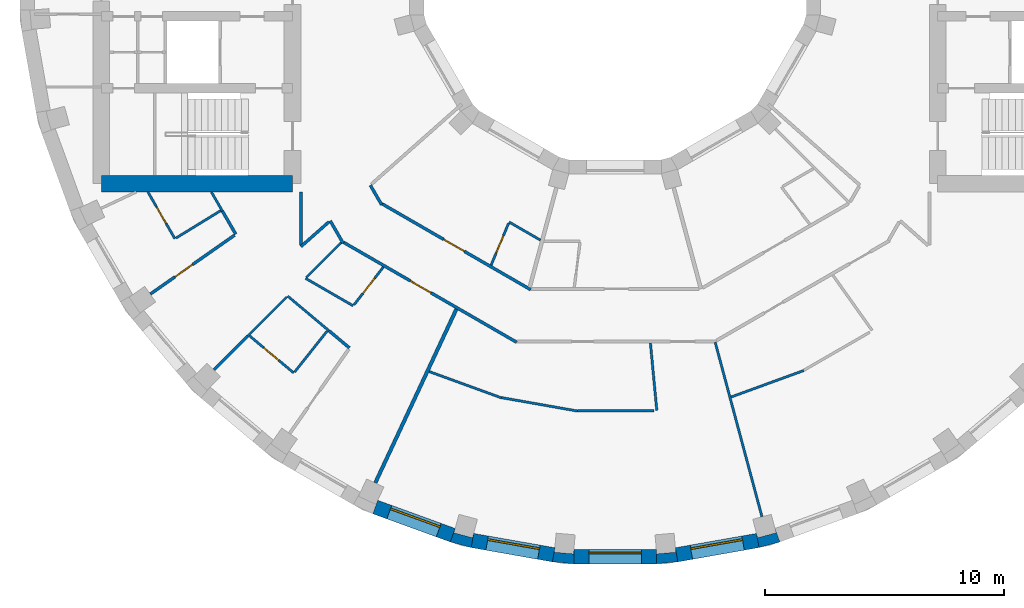
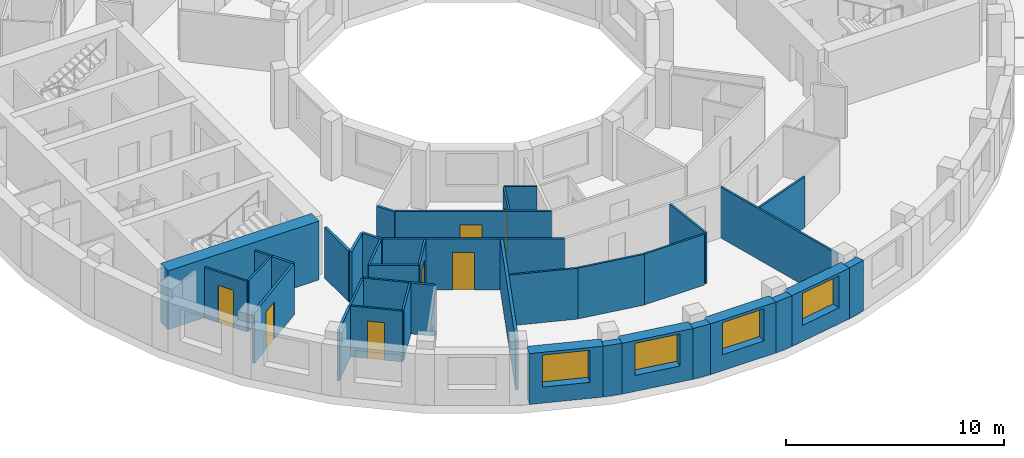
# One storey, part 2 of 11: 38 walls, 7 doors, 4 windows, 11 openings.
"""IFC4 building model written with IfcOpenShell, lengths in metres."""

from ifc_helpers import new_model, si_unit, direction, frame, frame_2d, origin, place, context, subcontext, project, spatial, polyline, rectangle, outline, extrude, material, layer, layer_set, type_object, element, fill, save


model = new_model("IFC4")

# Units and contexts
model_context = context("Model", 3, precision=1e-05, world=origin(), true_north=direction((0.0, 1.0)))
body_context = subcontext(model_context, "Body", "Model", "MODEL_VIEW")
ifc_project = project(units=[si_unit("LENGTHUNIT", "METRE"), si_unit("AREAUNIT", "SQUARE_METRE"), si_unit("VOLUMEUNIT", "CUBIC_METRE"), si_unit("PLANEANGLEUNIT", "RADIAN"), si_unit("MASSUNIT", "GRAM", prefix="KILO")], contexts=[model_context])

# Site, building, storey
site_placement = place(None, origin())
site = spatial("IfcSite", under=ifc_project, at=site_placement, CompositionType="ELEMENT")
building_placement = place(site_placement, origin())
building = spatial("IfcBuilding", under=site, at=building_placement, Name="Saqina Gate Tower", CompositionType="ELEMENT")
storey_placement = place(building_placement, frame((0.0, 0.0, 183.89990234375)))
storey = spatial("IfcBuildingStorey", under=building, at=storey_placement, Name="L52", CompositionType="ELEMENT", Elevation=183.89990234375)

# Walls
ifc_material_1 = material(Name="Brick masonry (buff)", Category="masonry")
wall_type_1 = type_object("IfcWallType", Name="BRICK PIER COPING BUFF", PredefinedType="SOLIDWALL", material=ifc_material_1)
wall_1_placement = place(storey_placement, origin())
element("IfcWall", 1, at=wall_1_placement, inside=storey, type_object=wall_type_1, Name="Pier cap L52 column 26", PredefinedType="SOLIDWALL", context=body_context, shape_type="SweptSolid", body=[
    extrude(outline(polyline([(-6.0234375, -24.22705078125), (-5.919189453125, -23.635986328125), (-5.967529296875, -23.81689453125), (-6.740478515625, -23.610107421875), (-6.69189453125, -23.428955078125), (-6.897216796875, -23.992919921875), (-6.0234375, -24.22705078125)])), origin(), (0.0, 0.0, 1.0), 2.85009765625),
])
wall_2_placement = place(storey_placement, origin())
element("IfcWall", 2, at=wall_2_placement, inside=storey, type_object=wall_type_1, Name="Pier cap L52 column 27", PredefinedType="SOLIDWALL", context=body_context, shape_type="SweptSolid", body=[
    extrude(outline(polyline([(-2.6259765625, -24.825927734375), (-1.724853515625, -24.90478515625), (-1.724853515625, -24.304931640625), (-1.7412109375, -24.491455078125), (-2.5380859375, -24.421630859375), (-2.521728515625, -24.235107421875), (-2.6259765625, -24.825927734375)])), origin(), (0.0, 0.0, 1.0), 2.85009765625),
])
wall_3_placement = place(storey_placement, origin())
element("IfcWall", 3, at=wall_3_placement, inside=storey, type_object=wall_type_1, Name="Pier cap L52 column 28", PredefinedType="SOLIDWALL", context=body_context, shape_type="SweptSolid", body=[
    extrude(outline(polyline([(1.724853515625, -24.90478515625), (2.6259765625, -24.825927734375), (2.521728515625, -24.235107421875), (2.5380859375, -24.421630859375), (1.7412109375, -24.491455078125), (1.724853515625, -24.304931640625), (1.724853515625, -24.90478515625)])), origin(), (0.0, 0.0, 1.0), 2.85009765625),
])
wall_4_placement = place(storey_placement, origin())
element("IfcWall", 4, at=wall_4_placement, inside=storey, type_object=wall_type_1, Name="Pier cap L52 column 29", PredefinedType="SOLIDWALL", context=body_context, shape_type="SweptSolid", body=[
    extrude(outline(polyline([(6.0234375, -24.22705078125), (6.897216796875, -23.992919921875), (6.69189453125, -23.428955078125), (6.740478515625, -23.610107421875), (5.967529296875, -23.81689453125), (5.919189453125, -23.635986328125), (6.0234375, -24.22705078125)])), origin(), (0.0, 0.0, 1.0), 2.85009765625),
])

# Wall, opening, window
ifc_material_2 = material(Name="Brick masonry (buff)", Category="masonry")
ifc_layer_1 = layer(ifc_material_2, 0.60009765625)
ifc_layer_set_1 = layer_set([ifc_layer_1], Name="FW-BRICK-BUFF")
wall_type_2 = type_object("IfcWallType", Name="FW-BRICK-BUFF", PredefinedType="SOLIDWALL", material=ifc_layer_set_1)
wall_5_placement = place(storey_placement, frame((-10.0361328125, -22.531005859375, 0.0), z_axis=(0.0, 0.0, 1.0), x_axis=(0.93968799822, -0.342032843455, 0.0)))
wall_5 = element("IfcWall", 5, at=wall_5_placement, inside=storey, type_object=wall_type_2, Name="Facade wall L52 facet 25", PredefinedType="SOLIDWALL", context=body_context, shape_type="SweptSolid", body=[
    extrude(rectangle(XDim=3.44970703125, YDim=0.60009765625, at=frame_2d((1.724853515625, 0.0))), origin(), (0.0, 0.0, 1.0), 2.85009765625),
])
opening_1_placement = place(wall_5_placement, frame((0.625, 0.0, 0.89990234375)))
opening_1 = element("IfcOpeningElement", 6, at=opening_1_placement, cuts=wall_5, Name="Opening G15-W17", PredefinedType="OPENING", context=body_context, shape_type="SweptSolid", body=[
    extrude(rectangle(XDim=2.199951171875, YDim=1.800048828125, at=frame_2d((1.10009765625, 0.89990234375))), frame((0.0, 0.31201171875, 0.0), z_axis=(0.0, -1.0, 0.0), x_axis=(1.0, 0.0, 0.0)), (0.0, 0.0, 1.0), 0.6240234375),
])
ifc_material_3 = material(Name="Aluminium glazing", Category="aluminium")
window_type = type_object("IfcWindowType", Name="WN-C", PartitioningType="SINGLE_PANEL", PredefinedType="WINDOW", material=ifc_material_3)
window_1_placement = place(opening_1_placement, origin())
window_1 = element("IfcWindow", 7, at=window_1_placement, inside=storey, type_object=window_type, Name="Window L52 facet 25", OverallHeight=1.800048828125, OverallWidth=2.199951171875, PartitioningType="SINGLE_PANEL", PredefinedType="WINDOW", context=body_context, shape_type="SweptSolid", body=[
    extrude(rectangle(XDim=2.199951171875, YDim=1.800048828125, at=frame_2d((1.10009765625, 0.89990234375))), frame((0.0, 0.179931640625, 0.0), z_axis=(0.0, -1.0, 0.0), x_axis=(1.0, 0.0, 0.0)), (0.0, 0.0, 1.0), 0.06005859375),
])
fill(opening_1, window_1)

wall_6_placement = place(storey_placement, frame((-5.97119140625, -23.931640625, 0.0), z_axis=(0.0, 0.0, 1.0), x_axis=(0.984814892183, -0.173607684551, 0.0)))
wall_6 = element("IfcWall", 8, at=wall_6_placement, inside=storey, type_object=wall_type_2, Name="Facade wall L52 facet 26", PredefinedType="SOLIDWALL", context=body_context, shape_type="SweptSolid", body=[
    extrude(rectangle(XDim=3.44970703125, YDim=0.60009765625, at=frame_2d((1.724853515625, 0.0))), origin(), (0.0, 0.0, 1.0), 2.85009765625),
])
opening_2_placement = place(wall_6_placement, frame((0.625, 0.0, 0.89990234375)))
opening_2 = element("IfcOpeningElement", 9, at=opening_2_placement, cuts=wall_6, Name="Opening G15-W18", PredefinedType="OPENING", context=body_context, shape_type="SweptSolid", body=[
    extrude(rectangle(XDim=2.199951171875, YDim=1.800048828125, at=frame_2d((1.10009765625, 0.89990234375))), frame((0.0, 0.31201171875, 0.0), z_axis=(0.0, -1.0, 0.0), x_axis=(1.0, 0.0, 0.0)), (0.0, 0.0, 1.0), 0.6240234375),
])
window_2_placement = place(opening_2_placement, origin())
window_2 = element("IfcWindow", 10, at=window_2_placement, inside=storey, type_object=window_type, Name="Window L52 facet 26", OverallHeight=1.800048828125, OverallWidth=2.199951171875, PartitioningType="SINGLE_PANEL", PredefinedType="WINDOW", context=body_context, shape_type="SweptSolid", body=[
    extrude(rectangle(XDim=2.199951171875, YDim=1.800048828125, at=frame_2d((1.10009765625, 0.89990234375))), frame((0.0, 0.179931640625, 0.0), z_axis=(0.0, -1.0, 0.0), x_axis=(1.0, 0.0, 0.0)), (0.0, 0.0, 1.0), 0.06005859375),
])
fill(opening_2, window_2)

wall_7_placement = place(storey_placement, frame((-1.724853515625, -24.60498046875, 0.0), z_axis=(0.0, 0.0, 1.0), x_axis=(1.0, 0.0, 0.0)))
wall_7 = element("IfcWall", 11, at=wall_7_placement, inside=storey, type_object=wall_type_2, Name="Facade wall L52 facet 27", PredefinedType="SOLIDWALL", context=body_context, shape_type="SweptSolid", body=[
    extrude(rectangle(XDim=3.44970703125, YDim=0.60009765625, at=frame_2d((1.724853515625, 0.0))), origin(), (0.0, 0.0, 1.0), 2.85009765625),
])
opening_3_placement = place(wall_7_placement, frame((0.625, 0.0, 0.89990234375)))
opening_3 = element("IfcOpeningElement", 12, at=opening_3_placement, cuts=wall_7, Name="Opening G15-W19", PredefinedType="OPENING", context=body_context, shape_type="SweptSolid", body=[
    extrude(rectangle(XDim=2.199951171875, YDim=1.800048828125, at=frame_2d((1.10009765625, 0.89990234375))), frame((0.0, 0.31201171875, 0.0), z_axis=(0.0, -1.0, 0.0), x_axis=(1.0, 0.0, 0.0)), (0.0, 0.0, 1.0), 0.6240234375),
])
window_3_placement = place(opening_3_placement, origin())
window_3 = element("IfcWindow", 13, at=window_3_placement, inside=storey, type_object=window_type, Name="Window L52 facet 27", OverallHeight=1.800048828125, OverallWidth=2.199951171875, PartitioningType="SINGLE_PANEL", PredefinedType="WINDOW", context=body_context, shape_type="SweptSolid", body=[
    extrude(rectangle(XDim=2.199951171875, YDim=1.800048828125, at=frame_2d((1.10009765625, 0.89990234375))), frame((0.0, 0.179931640625, 0.0), z_axis=(0.0, -1.0, 0.0), x_axis=(1.0, 0.0, 0.0)), (0.0, 0.0, 1.0), 0.06005859375),
])
fill(opening_3, window_3)

wall_8_placement = place(storey_placement, frame((2.573974609375, -24.530517578125, 0.0), z_axis=(0.0, 0.0, 1.0), x_axis=(0.984814892183, 0.173607684551, 0.0)))
wall_8 = element("IfcWall", 14, at=wall_8_placement, inside=storey, type_object=wall_type_2, Name="Facade wall L52 facet 28", PredefinedType="SOLIDWALL", context=body_context, shape_type="SweptSolid", body=[
    extrude(rectangle(XDim=3.44970703125, YDim=0.60009765625, at=frame_2d((1.724853515625, 0.0))), origin(), (0.0, 0.0, 1.0), 2.85009765625),
])
opening_4_placement = place(wall_8_placement, frame((0.625, 0.0, 0.89990234375)))
opening_4 = element("IfcOpeningElement", 15, at=opening_4_placement, cuts=wall_8, Name="Opening G15-W20", PredefinedType="OPENING", context=body_context, shape_type="SweptSolid", body=[
    extrude(rectangle(XDim=2.199951171875, YDim=1.800048828125, at=frame_2d((1.10009765625, 0.89990234375))), frame((0.0, 0.31201171875, 0.0), z_axis=(0.0, -1.0, 0.0), x_axis=(1.0, 0.0, 0.0)), (0.0, 0.0, 1.0), 0.6240234375),
])
window_4_placement = place(opening_4_placement, origin())
window_4 = element("IfcWindow", 16, at=window_4_placement, inside=storey, type_object=window_type, Name="Window L52 facet 28", OverallHeight=1.800048828125, OverallWidth=2.199951171875, PartitioningType="SINGLE_PANEL", PredefinedType="WINDOW", context=body_context, shape_type="SweptSolid", body=[
    extrude(rectangle(XDim=2.199951171875, YDim=1.800048828125, at=frame_2d((1.10009765625, 0.89990234375))), frame((0.0, 0.179931640625, 0.0), z_axis=(0.0, -1.0, 0.0), x_axis=(1.0, 0.0, 0.0)), (0.0, 0.0, 1.0), 0.06005859375),
])
fill(opening_4, window_4)

# Walls
ifc_material_4 = material(Name="Gypsum board on steel studs, 100 mm", Category="steel")
ifc_layer_2 = layer(ifc_material_4, 0.10009765625)
ifc_layer_set_2 = layer_set([ifc_layer_2], Name="PARTITION 100")
wall_type_3 = type_object("IfcWallType", Name="PARTITION 100", PredefinedType="PARTITIONING", material=ifc_layer_set_2)
wall_9_placement = place(storey_placement, frame((1.477783203125, -15.662109375, 0.0), z_axis=(0.0, 0.0, 1.0), x_axis=(0.094349605613, -0.995539126263, 0.0)))
element("IfcWall", 17, at=wall_9_placement, inside=storey, type_object=wall_type_3, Name="PARTITION PW3-01", PredefinedType="PARTITIONING", context=body_context, shape_type="SweptSolid", body=[
    extrude(rectangle(XDim=2.83349609375, YDim=0.10009765625, at=frame_2d((1.416748046875, 0.0))), origin(), (0.0, 0.0, 1.0), 2.85009765625),
])
wall_10_placement = place(storey_placement, frame((4.188720703125, -15.63232421875, 0.0), z_axis=(0.0, 0.0, 1.0), x_axis=(0.258899197964, -0.96590434583, 0.0)))
element("IfcWall", 18, at=wall_10_placement, inside=storey, type_object=wall_type_3, Name="PARTITION PW3-04", PredefinedType="PARTITIONING", context=body_context, shape_type="SweptSolid", body=[
    extrude(rectangle(XDim=7.55615234375, YDim=0.10009765625, at=frame_2d((3.778076171875, 0.0))), origin(), (0.0, 0.0, 1.0), 2.85009765625),
])

# Wall, opening, door
wall_11_placement = place(storey_placement, frame((-19.549072265625, -9.35009765625, 0.0), z_axis=(0.0, 0.0, 1.0), x_axis=(0.500006872736, -0.866021435772, 0.0)))
wall_11 = element("IfcWall", 19, at=wall_11_placement, inside=storey, type_object=wall_type_3, Name="PARTITION PW3-06", PredefinedType="PARTITIONING", context=body_context, shape_type="SweptSolid", body=[
    extrude(rectangle(XDim=2.25390625, YDim=0.10009765625, at=frame_2d((1.126953125, 0.0))), origin(), (0.0, 0.0, 1.0), 2.85009765625),
])
opening_5_placement = place(wall_11_placement, frame((0.72705078125, 0.0, 0.0)))
opening_5 = element("IfcOpeningElement", 20, at=opening_5_placement, cuts=wall_11, Name="Opening G15-D22", PredefinedType="OPENING", context=body_context, shape_type="SweptSolid", body=[
    extrude(rectangle(XDim=0.800048828125, YDim=2.10009765625, at=frame_2d((0.39990234375, 1.050048828125))), frame((0.0, 0.06201171875, 0.0), z_axis=(0.0, -1.0, 0.0), x_axis=(1.0, 0.0, 0.0)), (0.0, 0.0, 1.0), 0.1240234375),
])
ifc_material_5 = material(Name="Timber door leaf, 800 mm", Category="wood")
door_type_1 = type_object("IfcDoorType", Name="DOOR 800 TIMBER", OperationType="SINGLE_SWING_LEFT", PredefinedType="DOOR", material=ifc_material_5)
door_1_placement = place(opening_5_placement, frame((0.800048828125, 0.0, 0.0), z_axis=(0.0, 0.0, 1.0), x_axis=(-1.0, 0.0, 0.0)))
door_1 = element("IfcDoor", 21, at=door_1_placement, inside=storey, type_object=door_type_1, Name="DOOR G15-D22", OperationType="SINGLE_SWING_LEFT", OverallHeight=2.10009765625, OverallWidth=0.800048828125, PredefinedType="DOOR", context=body_context, shape_type="SweptSolid", body=[
    extrude(rectangle(XDim=0.800048828125, YDim=2.10009765625, at=frame_2d((0.39990234375, 1.050048828125))), frame((0.0, 0.02490234375, 0.0), z_axis=(0.0, -1.0, 0.0), x_axis=(1.0, 0.0, 0.0)), (0.0, 0.0, 1.0), 0.050048828125),
])
fill(opening_5, door_1)

# Wall
wall_12_placement = place(storey_placement, frame((-16.89306640625, -9.35009765625, 0.0), z_axis=(0.0, 0.0, 1.0), x_axis=(0.499699344759, -0.866198917598, 0.0)))
element("IfcWall", 22, at=wall_12_placement, inside=storey, type_object=wall_type_3, Name="PARTITION PW3-07", PredefinedType="PARTITIONING", context=body_context, shape_type="SweptSolid", body=[
    extrude(rectangle(XDim=0.91455078125, YDim=0.10009765625, at=frame_2d((0.457275390625, 0.0))), origin(), (0.0, 0.0, 1.0), 2.85009765625),
])

# Wall, opening, door
wall_13_placement = place(storey_placement, frame((-15.29638671875, -15.367431640625, 0.0), z_axis=(0.0, 0.0, 1.0), x_axis=(0.766039095888, -0.642793982215, 0.0)))
wall_13 = element("IfcWall", 23, at=wall_13_placement, inside=storey, type_object=wall_type_3, Name="PARTITION PW3-19", PredefinedType="PARTITIONING", context=body_context, shape_type="SweptSolid", body=[
    extrude(rectangle(XDim=2.416748046875, YDim=0.10009765625, at=frame_2d((1.20849609375, 0.0))), origin(), (0.0, 0.0, 1.0), 2.85009765625),
])
opening_6_placement = place(wall_13_placement, frame((0.783203125, 0.0, 0.0)))
opening_6 = element("IfcOpeningElement", 24, at=opening_6_placement, cuts=wall_13, Name="Opening G15-D24", PredefinedType="OPENING", context=body_context, shape_type="SweptSolid", body=[
    extrude(rectangle(XDim=0.800048828125, YDim=2.10009765625, at=frame_2d((0.39990234375, 1.050048828125))), frame((0.0, 0.06201171875, 0.0), z_axis=(0.0, -1.0, 0.0), x_axis=(1.0, 0.0, 0.0)), (0.0, 0.0, 1.0), 0.1240234375),
])
door_2_placement = place(opening_6_placement, frame((0.800048828125, 0.0, 0.0), z_axis=(0.0, 0.0, 1.0), x_axis=(-1.0, 0.0, 0.0)))
door_2 = element("IfcDoor", 25, at=door_2_placement, inside=storey, type_object=door_type_1, Name="DOOR G15-D24", OperationType="SINGLE_SWING_RIGHT", OverallHeight=2.10009765625, OverallWidth=0.800048828125, PredefinedType="DOOR", context=body_context, shape_type="SweptSolid", body=[
    extrude(rectangle(XDim=0.800048828125, YDim=2.10009765625, at=frame_2d((0.39990234375, 1.050048828125))), frame((0.0, 0.02490234375, 0.0), z_axis=(0.0, -1.0, 0.0), x_axis=(1.0, 0.0, 0.0)), (0.0, 0.0, 1.0), 0.050048828125),
])
fill(opening_6, door_2)

# Walls
wall_14_placement = place(storey_placement, frame((-13.702880859375, -13.702880859375, 0.0), z_axis=(0.0, 0.0, 1.0), x_axis=(0.766078026129, -0.642747584891, 0.0)))
element("IfcWall", 26, at=wall_14_placement, inside=storey, type_object=wall_type_3, Name="PARTITION PW3-20", PredefinedType="PARTITIONING", context=body_context, shape_type="SweptSolid", body=[
    extrude(rectangle(XDim=2.254638671875, YDim=0.10009765625, at=frame_2d((1.12744140625, 0.0))), origin(), (0.0, 0.0, 1.0), 2.85009765625),
])
wall_15_placement = place(storey_placement, frame((-12.955078125, -12.958251953125, 0.0), z_axis=(0.0, 0.0, 1.0), x_axis=(0.865950774653, -0.500129239174, 0.0)))
element("IfcWall", 27, at=wall_15_placement, inside=storey, type_object=wall_type_3, Name="PARTITION PW3-22", PredefinedType="PARTITIONING", context=body_context, shape_type="SweptSolid", body=[
    extrude(rectangle(XDim=2.30322265625, YDim=0.10009765625, at=frame_2d((1.151611328125, 0.0))), origin(), (0.0, 0.0, 1.0), 2.85009765625),
])
wall_16_placement = place(storey_placement, frame((-4.43505859375, -10.60302734375, 0.0), z_axis=(0.0, 0.0, 1.0), x_axis=(0.865968730787, -0.500098147666, 0.0)))
element("IfcWall", 28, at=wall_16_placement, inside=storey, type_object=wall_type_3, Name="PARTITION PW3-23", PredefinedType="PARTITIONING", context=body_context, shape_type="SweptSolid", body=[
    extrude(rectangle(XDim=1.518798828125, YDim=0.10009765625, at=frame_2d((0.75927734375, 0.0))), origin(), (0.0, 0.0, 1.0), 2.85009765625),
])
wall_17_placement = place(storey_placement, frame((-7.779541015625, -16.860595703125, 0.0), z_axis=(0.0, 0.0, 1.0), x_axis=(0.939600282454, -0.34227373433, 0.0)))
element("IfcWall", 29, at=wall_17_placement, inside=storey, type_object=wall_type_3, Name="PARTITION PW3-29", PredefinedType="PARTITIONING", context=body_context, shape_type="SweptSolid", body=[
    extrude(rectangle(XDim=3.21337890625, YDim=0.10009765625, at=frame_2d((1.606689453125, 0.0))), origin(), (0.0, 0.0, 1.0), 2.85009765625),
])
wall_18_placement = place(storey_placement, frame((-4.7587890625, -17.95166015625, 0.0), z_axis=(0.0, 0.0, 1.0), x_axis=(0.984816929669, -0.173596126217, 0.0)))
element("IfcWall", 30, at=wall_18_placement, inside=storey, type_object=wall_type_3, Name="PARTITION PW3-30", PredefinedType="PARTITIONING", context=body_context, shape_type="SweptSolid", body=[
    extrude(rectangle(XDim=3.23876953125, YDim=0.10009765625, at=frame_2d((1.619384765625, 0.0))), origin(), (0.0, 0.0, 1.0), 2.85009765625),
])
wall_19_placement = place(storey_placement, frame((-1.569091796875, -18.5048828125, 0.0), z_axis=(0.0, 0.0, 1.0), x_axis=(1.0, 0.0, 0.0)))
element("IfcWall", 31, at=wall_19_placement, inside=storey, type_object=wall_type_3, Name="PARTITION PW3-31", PredefinedType="PARTITIONING", context=body_context, shape_type="SweptSolid", body=[
    extrude(rectangle(XDim=3.18798828125, YDim=0.10009765625, at=frame_2d((1.593994140625, 0.0))), origin(), (0.0, 0.0, 1.0), 2.85009765625),
])
wall_20_placement = place(storey_placement, frame((4.85498046875, -17.92578125, 0.0), z_axis=(0.0, 0.0, 1.0), x_axis=(0.939623811072, 0.342209137323, 0.0)))
element("IfcWall", 32, at=wall_20_placement, inside=storey, type_object=wall_type_3, Name="PARTITION PW3-36", PredefinedType="PARTITIONING", context=body_context, shape_type="SweptSolid", body=[
    extrude(rectangle(XDim=3.23828125, YDim=0.10009765625, at=frame_2d((1.619140625, 0.0))), origin(), (0.0, 0.0, 1.0), 2.85009765625),
])
wall_21_placement = place(storey_placement, frame((-18.37939453125, -11.27587890625, 0.0), z_axis=(0.0, 0.0, 1.0), x_axis=(0.852400277597, 0.522889822766, 0.0)))
element("IfcWall", 33, at=wall_21_placement, inside=storey, type_object=wall_type_3, Name="PARTITION PW3-43", PredefinedType="PARTITIONING", context=body_context, shape_type="SweptSolid", body=[
    extrude(rectangle(XDim=2.200439453125, YDim=0.10009765625, at=frame_2d((1.10009765625, 0.0))), origin(), (0.0, 0.0, 1.0), 2.85009765625),
])
wall_22_placement = place(storey_placement, frame((-15.370361328125, -15.370361328125, 0.0), z_axis=(0.0, 0.0, 1.0), x_axis=(0.707106781187, 0.707106781187, 0.0)))
element("IfcWall", 34, at=wall_22_placement, inside=storey, type_object=wall_type_3, Name="PARTITION PW3-48", PredefinedType="PARTITIONING", context=body_context, shape_type="SweptSolid", body=[
    extrude(rectangle(XDim=2.306640625, YDim=0.10009765625, at=frame_2d((1.1533203125, 0.0))), origin(), (0.0, 0.0, 1.0), 2.85009765625),
])
wall_23_placement = place(storey_placement, frame((-12.920654296875, -12.920654296875, 0.0), z_axis=(0.0, 0.0, 1.0), x_axis=(0.707106781187, 0.707106781187, 0.0)))
element("IfcWall", 35, at=wall_23_placement, inside=storey, type_object=wall_type_3, Name="PARTITION PW3-49", PredefinedType="PARTITIONING", context=body_context, shape_type="SweptSolid", body=[
    extrude(rectangle(XDim=2.059814453125, YDim=0.10009765625, at=frame_2d((1.02978515625, 0.0))), origin(), (0.0, 0.0, 1.0), 2.85009765625),
])
wall_24_placement = place(storey_placement, frame((-13.413818359375, -16.8818359375, 0.0), z_axis=(0.0, 0.0, 1.0), x_axis=(0.622051214474, 0.78297655557, 0.0)))
element("IfcWall", 36, at=wall_24_placement, inside=storey, type_object=wall_type_3, Name="PARTITION PW3-53", PredefinedType="PARTITIONING", context=body_context, shape_type="SweptSolid", body=[
    extrude(rectangle(XDim=2.187744140625, YDim=0.10009765625, at=frame_2d((1.09375, 0.0))), origin(), (0.0, 0.0, 1.0), 2.85009765625),
])

# Wall, opening, door
wall_25_placement = place(storey_placement, frame((-10.92822265625, -14.071533203125, 0.0), z_axis=(0.0, 0.0, 1.0), x_axis=(0.61326580162, 0.789876608442, 0.0)))
wall_25 = element("IfcWall", 37, at=wall_25_placement, inside=storey, type_object=wall_type_3, Name="PARTITION PW3-54", PredefinedType="PARTITIONING", context=body_context, shape_type="SweptSolid", body=[
    extrude(rectangle(XDim=2.00439453125, YDim=0.10009765625, at=frame_2d((1.002197265625, 0.0))), origin(), (0.0, 0.0, 1.0), 2.85009765625),
])
opening_7_placement = place(wall_25_placement, frame((0.610107421875, 0.0, 0.0)))
opening_7 = element("IfcOpeningElement", 38, at=opening_7_placement, cuts=wall_25, Name="Opening G15-D25", PredefinedType="OPENING", context=body_context, shape_type="SweptSolid", body=[
    extrude(rectangle(XDim=0.800048828125, YDim=2.10009765625, at=frame_2d((0.39990234375, 1.050048828125))), frame((0.0, 0.06201171875, 0.0), z_axis=(0.0, -1.0, 0.0), x_axis=(1.0, 0.0, 0.0)), (0.0, 0.0, 1.0), 0.1240234375),
])
door_3_placement = place(opening_7_placement, frame((0.800048828125, 0.0, 0.0), z_axis=(0.0, 0.0, 1.0), x_axis=(-1.0, 0.0, 0.0)))
door_3 = element("IfcDoor", 39, at=door_3_placement, inside=storey, type_object=door_type_1, Name="DOOR G15-D25", OperationType="SINGLE_SWING_LEFT", OverallHeight=2.10009765625, OverallWidth=0.800048828125, PredefinedType="DOOR", context=body_context, shape_type="SweptSolid", body=[
    extrude(rectangle(XDim=0.800048828125, YDim=2.10009765625, at=frame_2d((0.39990234375, 1.050048828125))), frame((0.0, 0.02490234375, 0.0), z_axis=(0.0, -1.0, 0.0), x_axis=(1.0, 0.0, 0.0)), (0.0, 0.0, 1.0), 0.050048828125),
])
fill(opening_7, door_3)

wall_26_placement = place(storey_placement, frame((-5.18896484375, -12.4052734375, 0.0), z_axis=(0.0, 0.0, 1.0), x_axis=(0.385917276583, 0.922533389984, 0.0)))
wall_26 = element("IfcWall", 40, at=wall_26_placement, inside=storey, type_object=wall_type_3, Name="PARTITION PW3-60", PredefinedType="PARTITIONING", context=body_context, shape_type="SweptSolid", body=[
    extrude(rectangle(XDim=1.903564453125, YDim=0.10009765625, at=frame_2d((0.95166015625, 0.0))), origin(), (0.0, 0.0, 1.0), 2.85009765625),
])
opening_8_placement = place(wall_26_placement, frame((0.545654296875, 0.0, 0.0)))
opening_8 = element("IfcOpeningElement", 41, at=opening_8_placement, cuts=wall_26, Name="Opening G15-D29", PredefinedType="OPENING", context=body_context, shape_type="SweptSolid", body=[
    extrude(rectangle(XDim=0.800048828125, YDim=2.10009765625, at=frame_2d((0.39990234375, 1.050048828125))), frame((0.0, 0.06201171875, 0.0), z_axis=(0.0, -1.0, 0.0), x_axis=(1.0, 0.0, 0.0)), (0.0, 0.0, 1.0), 0.1240234375),
])
door_4_placement = place(opening_8_placement, origin())
door_4 = element("IfcDoor", 42, at=door_4_placement, inside=storey, type_object=door_type_1, Name="DOOR G15-D29", OperationType="SINGLE_SWING_LEFT", OverallHeight=2.10009765625, OverallWidth=0.800048828125, PredefinedType="DOOR", context=body_context, shape_type="SweptSolid", body=[
    extrude(rectangle(XDim=0.800048828125, YDim=2.10009765625, at=frame_2d((0.39990234375, 1.050048828125))), frame((0.0, 0.02490234375, 0.0), z_axis=(0.0, -1.0, 0.0), x_axis=(1.0, 0.0, 0.0)), (0.0, 0.0, 1.0), 0.050048828125),
])
fill(opening_8, door_4)

# Walls
ifc_material_6 = material(Name="Gypsum board on steel studs, 125 mm, fire rated", Category="steel")
ifc_layer_3 = layer(ifc_material_6, 0.125)
ifc_layer_set_3 = layer_set([ifc_layer_3], Name="PARTITION EI 30 125")
wall_type_4 = type_object("IfcWallType", Name="PARTITION EI 30 125", PredefinedType="PARTITIONING", material=ifc_layer_set_3)
wall_27_placement = place(storey_placement, frame((-11.921142578125, -10.550537109375, 0.0), z_axis=(0.0, 0.0, 1.0), x_axis=(0.497529675686, -0.867446956195, 0.0)))
element("IfcWall", 43, at=wall_27_placement, inside=storey, type_object=wall_type_4, Name="PARTITION PW1-01", PredefinedType="PARTITIONING", context=body_context, shape_type="SweptSolid", body=[
    extrude(rectangle(XDim=1.0771484375, YDim=0.125, at=frame_2d((0.53857421875, 0.0))), origin(), (0.0, 0.0, 1.0), 2.85009765625),
])
wall_28_placement = place(storey_placement, frame((-16.43603515625, -10.142333984375, 0.0), z_axis=(0.0, 0.0, 1.0), x_axis=(0.500306615371, -0.865848306932, 0.0)))
element("IfcWall", 44, at=wall_28_placement, inside=storey, type_object=wall_type_4, Name="PARTITION PW1-02", PredefinedType="PARTITIONING", context=body_context, shape_type="SweptSolid", body=[
    extrude(rectangle(XDim=1.121337890625, YDim=0.125, at=frame_2d((0.560546875, 0.0))), origin(), (0.0, 0.0, 1.0), 2.85009765625),
])
wall_29_placement = place(storey_placement, frame((-10.243896484375, -9.062255859375, 0.0), z_axis=(0.0, 0.0, 1.0), x_axis=(0.501067067948, -0.865408454672, 0.0)))
element("IfcWall", 45, at=wall_29_placement, inside=storey, type_object=wall_type_4, Name="PARTITION PW1-04", PredefinedType="PARTITIONING", context=body_context, shape_type="SweptSolid", body=[
    extrude(rectangle(XDim=0.9375, YDim=0.125, at=frame_2d((0.46875, 0.0))), origin(), (0.0, 0.0, 1.0), 2.85009765625),
])
wall_30_placement = place(storey_placement, frame((-11.9755859375, -15.152099609375, 0.0), z_axis=(0.0, 0.0, 1.0), x_axis=(0.766125727854, -0.642690725871, 0.0)))
element("IfcWall", 46, at=wall_30_placement, inside=storey, type_object=wall_type_4, Name="PARTITION PW1-12", PredefinedType="PARTITIONING", context=body_context, shape_type="SweptSolid", body=[
    extrude(rectangle(XDim=1.119384765625, YDim=0.125, at=frame_2d((0.5595703125, 0.0))), origin(), (0.0, 0.0, 1.0), 2.85009765625),
])

# Wall, opening, door
wall_31_placement = place(storey_placement, frame((-11.365966796875, -11.451171875, 0.0), z_axis=(0.0, 0.0, 1.0), x_axis=(0.866032091518, -0.499988416326, 0.0)))
wall_31 = element("IfcWall", 47, at=wall_31_placement, inside=storey, type_object=wall_type_4, Name="PARTITION PW1-14", PredefinedType="PARTITIONING", context=body_context, shape_type="SweptSolid", body=[
    extrude(rectangle(XDim=8.369873046875, YDim=0.125, at=frame_2d((4.18505859375, 0.0))), origin(), (0.0, 0.0, 1.0), 2.85009765625),
])
opening_9_placement = place(wall_31_placement, frame((3.2255859375, 0.0, 0.0)))
opening_9 = element("IfcOpeningElement", 48, at=opening_9_placement, cuts=wall_31, Name="Opening G15-D27", PredefinedType="OPENING", context=body_context, shape_type="SweptSolid", body=[
    extrude(rectangle(XDim=1.0, YDim=2.10009765625, at=frame_2d((0.5, 1.050048828125))), frame((0.0, 0.074462890625, 0.0), z_axis=(0.0, -1.0, 0.0), x_axis=(1.0, 0.0, 0.0)), (0.0, 0.0, 1.0), 0.14892578125),
])
ifc_material_7 = material(Name="Fire door leaf EI 30, 1000 mm")
door_type_2 = type_object("IfcDoorType", Name="DOOR 1000 EI 30", OperationType="SINGLE_SWING_LEFT", PredefinedType="DOOR", material=ifc_material_7)
door_5_placement = place(opening_9_placement, frame((1.0, 0.0, 0.0), z_axis=(0.0, 0.0, 1.0), x_axis=(-1.0, 0.0, 0.0)))
door_5 = element("IfcDoor", 49, at=door_5_placement, inside=storey, type_object=door_type_2, Name="DOOR G15-D27", OperationType="SINGLE_SWING_RIGHT", OverallHeight=2.10009765625, OverallWidth=1.0, PredefinedType="DOOR", context=body_context, shape_type="SweptSolid", body=[
    extrude(rectangle(XDim=1.0, YDim=2.10009765625, at=frame_2d((0.5, 1.050048828125))), frame((0.0, 0.02490234375, 0.0), z_axis=(0.0, -1.0, 0.0), x_axis=(1.0, 0.0, 0.0)), (0.0, 0.0, 1.0), 0.050048828125),
])
fill(opening_9, door_5)

wall_32_placement = place(storey_placement, frame((-9.7548828125, -9.84033203125, 0.0), z_axis=(0.0, 0.0, 1.0), x_axis=(0.865968995572, -0.500097689165, 0.0)))
wall_32 = element("IfcWall", 50, at=wall_32_placement, inside=storey, type_object=wall_type_4, Name="PARTITION PW1-15", PredefinedType="PARTITIONING", context=body_context, shape_type="SweptSolid", body=[
    extrude(rectangle(XDim=7.18994140625, YDim=0.125, at=frame_2d((3.594970703125, 0.0))), origin(), (0.0, 0.0, 1.0), 2.85009765625),
])
opening_10_placement = place(wall_32_placement, frame((2.976806640625, 0.0, 0.0)))
opening_10 = element("IfcOpeningElement", 51, at=opening_10_placement, cuts=wall_32, Name="Opening G15-D28", PredefinedType="OPENING", context=body_context, shape_type="SweptSolid", body=[
    extrude(rectangle(XDim=1.0, YDim=2.10009765625, at=frame_2d((0.5, 1.050048828125))), frame((0.0, 0.074462890625, 0.0), z_axis=(0.0, -1.0, 0.0), x_axis=(1.0, 0.0, 0.0)), (0.0, 0.0, 1.0), 0.14892578125),
])
door_6_placement = place(opening_10_placement, origin())
door_6 = element("IfcDoor", 52, at=door_6_placement, inside=storey, type_object=door_type_2, Name="DOOR G15-D28", OperationType="SINGLE_SWING_LEFT", OverallHeight=2.10009765625, OverallWidth=1.0, PredefinedType="DOOR", context=body_context, shape_type="SweptSolid", body=[
    extrude(rectangle(XDim=1.0, YDim=2.10009765625, at=frame_2d((0.5, 1.050048828125))), frame((0.0, 0.02490234375, 0.0), z_axis=(0.0, -1.0, 0.0), x_axis=(1.0, 0.0, 0.0)), (0.0, 0.0, 1.0), 0.050048828125),
])
fill(opening_10, door_6)

wall_33_placement = place(storey_placement, frame((-19.44677734375, -13.616455078125, 0.0), z_axis=(0.0, 0.0, 1.0), x_axis=(0.819407978004, 0.573210751455, 0.0)))
wall_33 = element("IfcWall", 53, at=wall_33_placement, inside=storey, type_object=wall_type_4, Name="PARTITION PW1-27", PredefinedType="PARTITIONING", context=body_context, shape_type="SweptSolid", body=[
    extrude(rectangle(XDim=4.298828125, YDim=0.125, at=frame_2d((2.1494140625, 0.0))), origin(), (0.0, 0.0, 1.0), 2.85009765625),
])
opening_11_placement = place(wall_33_placement, frame((1.25341796875, 0.0, 0.0)))
opening_11 = element("IfcOpeningElement", 54, at=opening_11_placement, cuts=wall_33, Name="Opening G15-D23", PredefinedType="OPENING", context=body_context, shape_type="SweptSolid", body=[
    extrude(rectangle(XDim=0.89990234375, YDim=2.10009765625, at=frame_2d((0.449951171875, 1.050048828125))), frame((0.0, 0.074462890625, 0.0), z_axis=(0.0, -1.0, 0.0), x_axis=(1.0, 0.0, 0.0)), (0.0, 0.0, 1.0), 0.14892578125),
])
ifc_material_8 = material(Name="Fire door leaf EI 30, 900 mm")
door_type_3 = type_object("IfcDoorType", Name="DOOR 900 EI 30", OperationType="SINGLE_SWING_LEFT", PredefinedType="DOOR", material=ifc_material_8)
door_7_placement = place(opening_11_placement, frame((0.89990234375, 0.0, 0.0), z_axis=(0.0, 0.0, 1.0), x_axis=(-1.0, 0.0, 0.0)))
door_7 = element("IfcDoor", 55, at=door_7_placement, inside=storey, type_object=door_type_3, Name="DOOR G15-D23", OperationType="SINGLE_SWING_RIGHT", OverallHeight=2.10009765625, OverallWidth=0.89990234375, PredefinedType="DOOR", context=body_context, shape_type="SweptSolid", body=[
    extrude(rectangle(XDim=0.89990234375, YDim=2.10009765625, at=frame_2d((0.449951171875, 1.050048828125))), frame((0.0, 0.02490234375, 0.0), z_axis=(0.0, -1.0, 0.0), x_axis=(1.0, 0.0, 0.0)), (0.0, 0.0, 1.0), 0.050048828125),
])
fill(opening_11, door_7)

# Walls
wall_34_placement = place(storey_placement, frame((-13.147216796875, -11.631103515625, 0.0), z_axis=(0.0, 0.0, 1.0), x_axis=(0.749266337154, 0.662268794379, 0.0)))
element("IfcWall", 56, at=wall_34_placement, inside=storey, type_object=wall_type_4, Name="PARTITION PW1-30", PredefinedType="PARTITIONING", context=body_context, shape_type="SweptSolid", body=[
    extrude(rectangle(XDim=1.571533203125, YDim=0.125, at=frame_2d((0.78564453125, 0.0))), origin(), (0.0, 0.0, 1.0), 2.85009765625),
])
wall_35_placement = place(storey_placement, frame((-16.78662109375, -16.78662109375, 0.0), z_axis=(0.0, 0.0, 1.0), x_axis=(0.707106781187, 0.707106781187, 0.0)))
element("IfcWall", 57, at=wall_35_placement, inside=storey, type_object=wall_type_4, Name="PARTITION PW1-34", PredefinedType="PARTITIONING", context=body_context, shape_type="SweptSolid", body=[
    extrude(rectangle(XDim=2.0029296875, YDim=0.125, at=frame_2d((1.00146484375, 0.0))), origin(), (0.0, 0.0, 1.0), 2.85009765625),
])
wall_36_placement = place(storey_placement, frame((-13.14990234375, -11.5673828125, 0.0), z_axis=(0.0, 0.0, 1.0), x_axis=(0.0, 1.0, 0.0)))
element("IfcWall", 58, at=wall_36_placement, inside=storey, type_object=wall_type_4, Name="PARTITION PW1-47", PredefinedType="PARTITIONING", context=body_context, shape_type="SweptSolid", body=[
    extrude(rectangle(XDim=2.21630859375, YDim=0.125, at=frame_2d((1.108154296875, 0.0))), origin(), (0.0, 0.0, 1.0), 2.85009765625),
])
ifc_material_9 = material(Name="Gypsum board on steel studs, 150 mm, fire rated", Category="steel")
ifc_layer_4 = layer(ifc_material_9, 0.14990234375)
ifc_layer_set_4 = layer_set([ifc_layer_4], Name="PARTITION EI 60 150")
wall_type_5 = type_object("IfcWallType", Name="PARTITION EI 60 150", PredefinedType="PARTITIONING", material=ifc_layer_set_4)
wall_37_placement = place(storey_placement, frame((-10.03369140625, -21.515380859375, 0.0), z_axis=(0.0, 0.0, 1.0), x_axis=(0.422970482998, 0.906143460227, 0.0)))
element("IfcWall", 59, at=wall_37_placement, inside=storey, type_object=wall_type_5, Name="PARTITION PW2-04", PredefinedType="PARTITIONING", context=body_context, shape_type="SweptSolid", body=[
    extrude(rectangle(XDim=8.017333984375, YDim=0.14990234375, at=frame_2d((4.0087890625, 0.0))), origin(), (0.0, 0.0, 1.0), 2.85009765625),
])
ifc_material_10 = material(Name="Concrete C60/75", Category="concrete")
ifc_layer_5 = layer(ifc_material_10, 0.699951171875)
ifc_layer_set_5 = layer_set([ifc_layer_5], Name="Concrete C60/75")
wall_type_6 = type_object("IfcWallType", Name="STR-CORE WALL-C-O", PredefinedType="SHEAR", material=ifc_layer_set_5)
wall_38_placement = place(storey_placement, frame((-13.5, -9.0, 0.0), z_axis=(0.0, 0.0, 1.0), x_axis=(-1.0, 0.0, 0.0)))
element("IfcWall", 60, at=wall_38_placement, inside=storey, type_object=wall_type_6, Name="CORE WALL L52 W-SE", PredefinedType="SHEAR", context=body_context, shape_type="SweptSolid", body=[
    extrude(rectangle(XDim=8.0, YDim=0.699951171875, at=frame_2d((4.0, 0.0))), origin(), (0.0, 0.0, 1.0), 3.300048828125),
])

save(model, "model.ifc")
